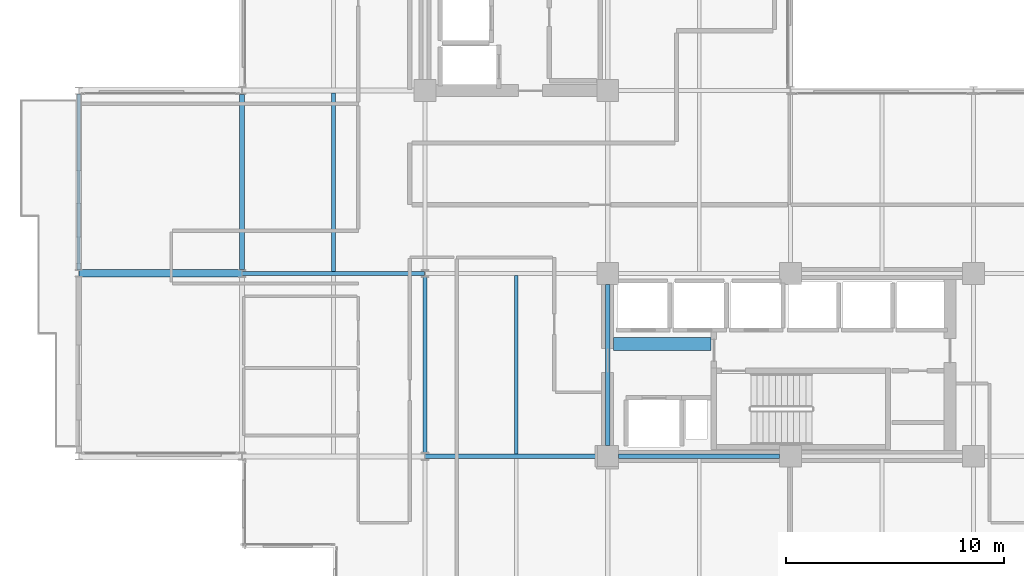
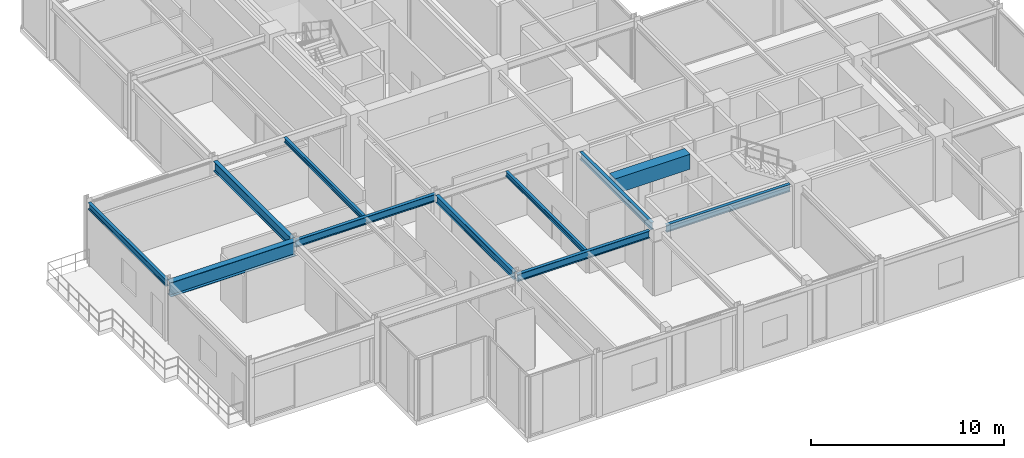
# One storey, part 8 of 29: 11 beams.
"""IFC4 building model written with IfcOpenShell, lengths in metres."""

from ifc_helpers import new_model, si_unit, direction, frame, origin, origin_2d, place, context, subcontext, project, spatial, rectangle, i_section, extrude, material, material_profile, profile_set, type_object, element, save


model = new_model("IFC4")

# Units and contexts
model_context = context("Model", 3, precision=1e-05, world=origin(), true_north=direction((0.0, 1.0)))
body_context = subcontext(model_context, "Body", "Model", "MODEL_VIEW")
ifc_project = project(units=[si_unit("LENGTHUNIT", "METRE"), si_unit("AREAUNIT", "SQUARE_METRE"), si_unit("VOLUMEUNIT", "CUBIC_METRE"), si_unit("PLANEANGLEUNIT", "RADIAN"), si_unit("MASSUNIT", "GRAM", prefix="KILO")], contexts=[model_context])

# Site, building, storey
site_placement = place(None, origin())
site = spatial("IfcSite", under=ifc_project, at=site_placement, CompositionType="ELEMENT")
building_placement = place(site_placement, origin())
building = spatial("IfcBuilding", under=site, at=building_placement, Name="Nerrivon Quay Data Exchange", CompositionType="ELEMENT")
storey_placement = place(building_placement, frame((0.0, 0.0, 183.699951171875)))
storey = spatial("IfcBuildingStorey", under=building, at=storey_placement, Name="L43", CompositionType="ELEMENT", Elevation=183.699951171875)

# Beams
ifc_material_1 = material(Name="Steel Grade 350", Category="steel")
ifc_material_profile_1 = material_profile(ifc_material_1, i_section(OverallWidth=0.35009765625, OverallDepth=0.909912109375, WebThickness=0.011962890625, FlangeThickness=0.02490234375, at=origin_2d()), Name="900WB218")
ifc_profile_set_1 = profile_set([ifc_material_profile_1], Name="Steel Grade 350")
beam_type_1 = type_object("IfcBeamType", Name="BM-CANT-900WB", PredefinedType="USERDEFINED", material=ifc_profile_set_1)
beam_1_placement = place(storey_placement, frame((-0.010009765625, 16.800048828125, 3.3701171875), z_axis=(-1.0, 0.0, 0.0), x_axis=(0.0, -1.0, 0.0)))
element("IfcBeam", 1, at=beam_1_placement, inside=storey, type_object=beam_type_1, Name="L43 West Hooked Cantilever Girder Y=16.8", ObjectType="TRANSFER", PredefinedType="USERDEFINED", context=body_context, shape_type="SweptSolid", body=[
    extrude(i_section(OverallWidth=0.35009765625, OverallDepth=0.909912109375, WebThickness=0.011962890625, FlangeThickness=0.02490234375, at=origin_2d()), origin(), (0.0, 0.0, 1.0), 7.482177734375),
])
ifc_material_2 = material(Name="Concrete N50 (50 MPa)", Category="concrete")
ifc_material_profile_2 = material_profile(ifc_material_2, rectangle(XDim=0.60009765625, YDim=0.949951171875, at=origin_2d()), Name="RC-CB-600x950")
ifc_profile_set_2 = profile_set([ifc_material_profile_2], Name="Concrete N50 (50 MPa)")
beam_type_2 = type_object("IfcBeamType", Name="BM-CB2-600x950", PredefinedType="LINTEL", material=ifc_profile_set_2)
beam_2_placement = place(storey_placement, frame((17.074951171875, 13.550048828125, 3.35009765625), z_axis=(1.0, 0.0, 0.0), x_axis=(0.0, 1.0, 0.0)))
element("IfcBeam", 2, at=beam_2_placement, inside=storey, type_object=beam_type_2, Name="L43 East Core Coupling Beam", PredefinedType="LINTEL", context=body_context, shape_type="SweptSolid", body=[
    extrude(rectangle(XDim=0.60009765625, YDim=0.949951171875, at=origin_2d()), origin(), (0.0, 0.0, 1.0), 4.47998046875),
])
ifc_material_profile_3 = material_profile(ifc_material_1, i_section(OverallWidth=0.22802734375, OverallDepth=0.60205078125, WebThickness=0.010498046875, FlangeThickness=0.014892578125, FilletRadius=0.013916015625, at=origin_2d()), Name="610UB101")
ifc_profile_set_3 = profile_set([ifc_material_profile_3], Name="Steel Grade 350")
beam_type_3 = type_object("IfcBeamType", Name="BM-G2-610UB101", PredefinedType="BEAM", material=ifc_profile_set_3)
beam_3_placement = place(storey_placement, frame((0.0, 16.97509765625, 3.524169921875), z_axis=(0.0, 1.0, 0.0), x_axis=(-1.0, 0.0, 0.0)))
element("IfcBeam", 3, at=beam_3_placement, inside=storey, type_object=beam_type_3, Name="L43 NS Girder X=0.0 (16.8..25.2)", PredefinedType="BEAM", context=body_context, shape_type="SweptSolid", body=[
    extrude(i_section(OverallWidth=0.22802734375, OverallDepth=0.60205078125, WebThickness=0.010498046875, FlangeThickness=0.014892578125, FilletRadius=0.013916015625, at=origin_2d()), origin(), (0.0, 0.0, 1.0), 8.0498046875),
])
ifc_material_profile_4 = material_profile(ifc_material_1, i_section(OverallWidth=0.19091796875, OverallDepth=0.4599609375, WebThickness=0.010009765625, FlangeThickness=0.01611328125, FilletRadius=0.011474609375, at=origin_2d()), Name="460UB82.1")
ifc_profile_set_4 = profile_set([ifc_material_profile_4], Name="Steel Grade 350")
beam_type_4 = type_object("IfcBeamType", Name="BM-G5-460UB82", PredefinedType="BEAM", material=ifc_profile_set_4)
beam_4_placement = place(storey_placement, frame((8.409912109375, 8.39990234375, 3.594970703125), z_axis=(1.0, 0.0, 0.0), x_axis=(0.0, 1.0, 0.0)))
element("IfcBeam", 4, at=beam_4_placement, inside=storey, type_object=beam_type_4, Name="L43 EW Girder Y=8.4 (8.4..16.8)", PredefinedType="BEAM", context=body_context, shape_type="SweptSolid", body=[
    extrude(i_section(OverallWidth=0.19091796875, OverallDepth=0.4599609375, WebThickness=0.010009765625, FlangeThickness=0.01611328125, FilletRadius=0.011474609375, at=origin_2d()), origin(), (0.0, 0.0, 1.0), 7.89013671875),
])
beam_5_placement = place(storey_placement, frame((17.300048828125, 8.39990234375, 3.594970703125), z_axis=(1.0, 0.0, 0.0), x_axis=(0.0, 1.0, 0.0)))
element("IfcBeam", 5, at=beam_5_placement, inside=storey, type_object=beam_type_4, Name="L43 EW Girder Y=8.4 (16.8..25.2)", PredefinedType="BEAM", context=body_context, shape_type="SweptSolid", body=[
    extrude(i_section(OverallWidth=0.19091796875, OverallDepth=0.4599609375, WebThickness=0.010009765625, FlangeThickness=0.01611328125, FilletRadius=0.011474609375, at=origin_2d()), origin(), (0.0, 0.0, 1.0), 7.39990234375),
])
beam_6_placement = place(storey_placement, frame((0.010009765625, 16.800048828125, 3.594970703125), z_axis=(1.0, 0.0, 0.0), x_axis=(0.0, 1.0, 0.0)))
element("IfcBeam", 6, at=beam_6_placement, inside=storey, type_object=beam_type_4, Name="L43 EW Girder Y=16.8 (0.0..8.4)", PredefinedType="BEAM", context=body_context, shape_type="SweptSolid", body=[
    extrude(i_section(OverallWidth=0.19091796875, OverallDepth=0.4599609375, WebThickness=0.010009765625, FlangeThickness=0.01611328125, FilletRadius=0.011474609375, at=origin_2d()), origin(), (0.0, 0.0, 1.0), 8.3798828125),
])
ifc_material_profile_5 = material_profile(ifc_material_1, i_section(OverallWidth=0.18994140625, OverallDepth=0.4541015625, WebThickness=0.008544921875, FlangeThickness=0.0126953125, FilletRadius=0.011474609375, at=origin_2d()), Name="460UB67.1")
ifc_profile_set_5 = profile_set([ifc_material_profile_5], Name="Steel Grade 350")
beam_type_5 = type_object("IfcBeamType", Name="BM-G6-460UB67", PredefinedType="BEAM", material=ifc_profile_set_5)
beam_7_placement = place(storey_placement, frame((8.39990234375, 8.574951171875, 3.59814453125), z_axis=(0.0, 1.0, 0.0), x_axis=(-1.0, 0.0, 0.0)))
element("IfcBeam", 7, at=beam_7_placement, inside=storey, type_object=beam_type_5, Name="L43 NS Girder X=8.4 (8.4..16.8)", PredefinedType="BEAM", context=body_context, shape_type="SweptSolid", body=[
    extrude(i_section(OverallWidth=0.18994140625, OverallDepth=0.4541015625, WebThickness=0.008544921875, FlangeThickness=0.0126953125, FilletRadius=0.011474609375, at=origin_2d()), origin(), (0.0, 0.0, 1.0), 8.050048828125),
])
beam_8_placement = place(storey_placement, frame((16.800048828125, 8.89990234375, 3.59814453125), z_axis=(0.0, 1.0, 0.0), x_axis=(-1.0, 0.0, 0.0)))
element("IfcBeam", 8, at=beam_8_placement, inside=storey, type_object=beam_type_5, Name="L43 NS Girder X=16.8 (8.4..16.8)", PredefinedType="BEAM", context=body_context, shape_type="SweptSolid", body=[
    extrude(i_section(OverallWidth=0.18994140625, OverallDepth=0.4541015625, WebThickness=0.008544921875, FlangeThickness=0.0126953125, FilletRadius=0.011474609375, at=origin_2d()), origin(), (0.0, 0.0, 1.0), 7.400146484375),
])
ifc_material_profile_6 = material_profile(ifc_material_1, i_section(OverallWidth=0.166015625, OverallDepth=0.306884765625, WebThickness=0.006591796875, FlangeThickness=0.01171875, FilletRadius=0.011474609375, at=origin_2d()), Name="310UB46.2")
ifc_profile_set_6 = profile_set([ifc_material_profile_6], Name="Steel Grade 350")
beam_type_6 = type_object("IfcBeamType", Name="BM-J5-310UB46", PredefinedType="JOIST", material=ifc_profile_set_6)
beam_9_placement = place(storey_placement, frame((4.199951171875, 16.8955078125, 3.671630859375), z_axis=(0.0, 1.0, 0.0), x_axis=(-1.0, 0.0, 0.0)))
element("IfcBeam", 9, at=beam_9_placement, inside=storey, type_object=beam_type_6, Name="L43 Secondary Joist X=4.2 (16.8..25.2)", PredefinedType="JOIST", context=body_context, shape_type="SweptSolid", body=[
    extrude(i_section(OverallWidth=0.166015625, OverallDepth=0.306884765625, WebThickness=0.006591796875, FlangeThickness=0.01171875, FilletRadius=0.011474609375, at=origin_2d()), origin(), (0.0, 0.0, 1.0), 8.18994140625),
])
beam_10_placement = place(storey_placement, frame((12.60009765625, 8.49560546875, 3.671630859375), z_axis=(0.0, 1.0, 0.0), x_axis=(-1.0, 0.0, 0.0)))
element("IfcBeam", 10, at=beam_10_placement, inside=storey, type_object=beam_type_6, Name="L43 Secondary Joist X=12.6 (8.4..16.8)", PredefinedType="JOIST", context=body_context, shape_type="SweptSolid", body=[
    extrude(i_section(OverallWidth=0.166015625, OverallDepth=0.306884765625, WebThickness=0.006591796875, FlangeThickness=0.01171875, FilletRadius=0.011474609375, at=origin_2d()), origin(), (0.0, 0.0, 1.0), 8.208984375),
])
ifc_material_profile_7 = material_profile(ifc_material_1, i_section(OverallWidth=0.177978515625, OverallDepth=0.403076171875, WebThickness=0.007568359375, FlangeThickness=0.010986328125, FilletRadius=0.011474609375, at=origin_2d()), Name="410UB53.7")
ifc_profile_set_7 = profile_set([ifc_material_profile_7], Name="Steel Grade 350")
beam_type_7 = type_object("IfcBeamType", Name="BM-SP2-410UB54", PredefinedType="SPANDREL", material=ifc_profile_set_7)
beam_11_placement = place(storey_placement, frame((-7.5, 16.96337890625, 3.62353515625), z_axis=(0.0, 1.0, 0.0), x_axis=(-1.0, 0.0, 0.0)))
element("IfcBeam", 11, at=beam_11_placement, inside=storey, type_object=beam_type_7, Name="L43 West Hooked Edge Spandrel", PredefinedType="SPANDREL", context=body_context, shape_type="SweptSolid", body=[
    extrude(i_section(OverallWidth=0.177978515625, OverallDepth=0.403076171875, WebThickness=0.007568359375, FlangeThickness=0.010986328125, FilletRadius=0.011474609375, at=origin_2d()), origin(), (0.0, 0.0, 1.0), 8.0732421875),
])

save(model, "model.ifc")
